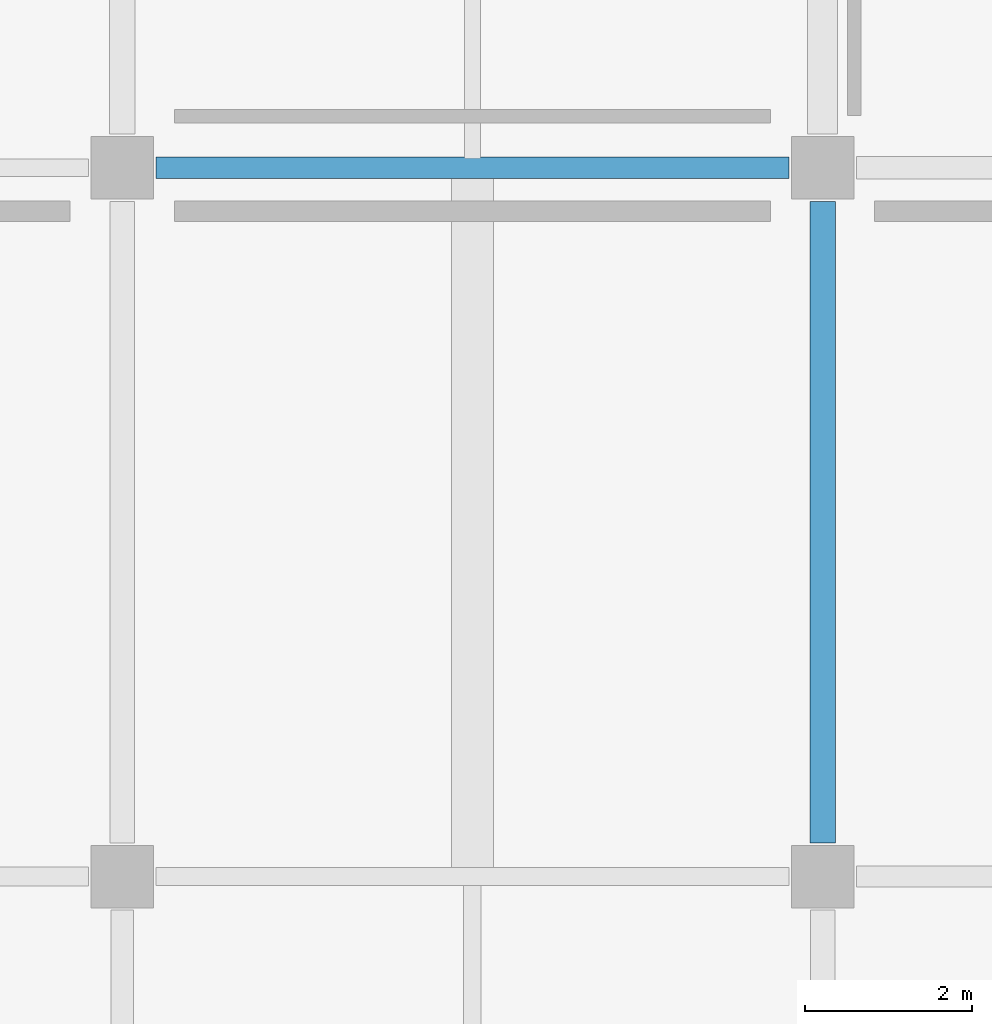
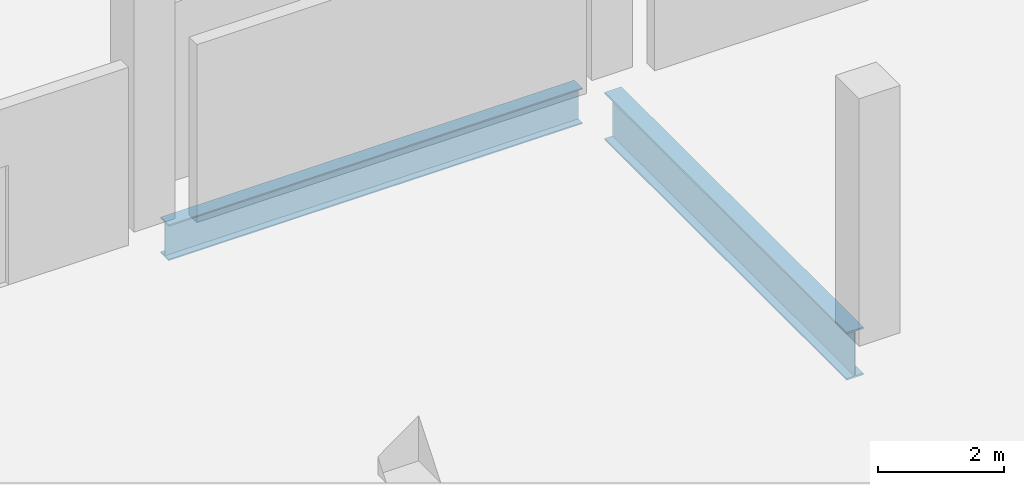
# One storey, part 35 of 117: 2 beams.
"""IFC4 building model written with IfcOpenShell, lengths in metres."""

from ifc_helpers import new_model, si_unit, direction, frame, origin, origin_2d, place, context, subcontext, project, spatial, i_section, extrude, material, material_profile, profile_set, type_object, element, save


model = new_model("IFC4")

# Units and contexts
model_context = context("Model", 3, precision=1e-05, world=origin(), true_north=direction((0.0, 1.0)))
body_context = subcontext(model_context, "Body", "Model", "MODEL_VIEW")
ifc_project = project(units=[si_unit("LENGTHUNIT", "METRE"), si_unit("AREAUNIT", "SQUARE_METRE"), si_unit("VOLUMEUNIT", "CUBIC_METRE"), si_unit("PLANEANGLEUNIT", "RADIAN"), si_unit("MASSUNIT", "GRAM", prefix="KILO")], contexts=[model_context])

# Site, building, storey
site_placement = place(None, origin())
site = spatial("IfcSite", under=ifc_project, at=site_placement, CompositionType="ELEMENT")
building_placement = place(site_placement, origin())
building = spatial("IfcBuilding", under=site, at=building_placement, Name="Solvento Point Concert Hall", CompositionType="ELEMENT")
storey_placement = place(building_placement, frame((0.0, 0.0, 5.39990234375)))
storey = spatial("IfcBuildingStorey", under=building, at=storey_placement, Name="L01", CompositionType="ELEMENT", Elevation=5.39990234375)

# Beams
ifc_material_1 = material(Name="Structural Steel ASTM A992 Grade 50", Category="steel")
ifc_material_profile_1 = material_profile(ifc_material_1, i_section(OverallWidth=0.256103515625, OverallDepth=0.693115234375, WebThickness=0.014404296875, FlangeThickness=0.023681640625, at=origin_2d()), Name="W27X114")
ifc_profile_set_1 = profile_set([ifc_material_profile_1], Name="Structural Steel ASTM A992 Grade 50")
beam_type_1 = type_object("IfcBeamType", Name="Girder_W27X114", PredefinedType="USERDEFINED", material=ifc_profile_set_1)
beam_1_placement = place(storey_placement, frame((7.60400390625, 119.0, -0.63037109375), z_axis=(1.0, 0.0, 0.0), x_axis=(0.0, 1.0, 0.0)))
element("IfcBeam", 1, at=beam_1_placement, inside=storey, type_object=beam_type_1, Name="Primary girder B-23 L01", ObjectType="GIRDER", PredefinedType="USERDEFINED", context=body_context, shape_type="SweptSolid", body=[
    extrude(i_section(OverallWidth=0.256103515625, OverallDepth=0.693115234375, WebThickness=0.014404296875, FlangeThickness=0.023681640625, at=origin_2d()), origin(), (0.0, 0.0, 1.0), 7.592041015625),
])
ifc_material_2 = material(Name="Structural Steel ASTM A992 Grade 50", Category="steel")
ifc_material_profile_2 = material_profile(ifc_material_2, i_section(OverallWidth=0.3076171875, OverallDepth=0.927001953125, WebThickness=0.019287109375, FlangeThickness=0.031982421875, at=origin_2d()), Name="W36X194")
ifc_profile_set_2 = profile_set([ifc_material_profile_2], Name="Structural Steel ASTM A992 Grade 50")
beam_type_2 = type_object("IfcBeamType", Name="Girder_W36X194", PredefinedType="USERDEFINED", material=ifc_profile_set_2)
beam_2_placement = place(storey_placement, frame((15.60009765625, 110.904052734375, -0.747314453125), z_axis=(0.0, 1.0, 0.0), x_axis=(-1.0, 0.0, 0.0)))
element("IfcBeam", 2, at=beam_2_placement, inside=storey, type_object=beam_type_2, Name="Primary girder B-61 L01", ObjectType="GIRDER", PredefinedType="USERDEFINED", context=body_context, shape_type="SweptSolid", body=[
    extrude(i_section(OverallWidth=0.3076171875, OverallDepth=0.927001953125, WebThickness=0.019287109375, FlangeThickness=0.031982421875, at=origin_2d()), origin(), (0.0, 0.0, 1.0), 7.69189453125),
])

save(model, "model.ifc")
